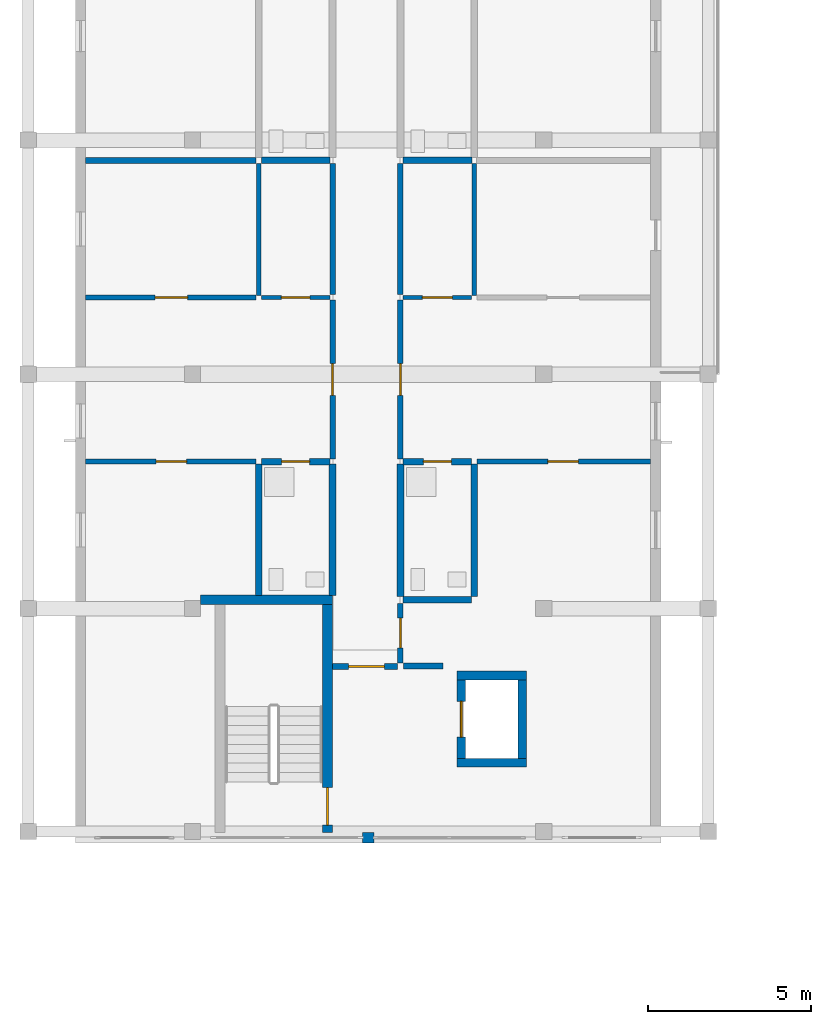
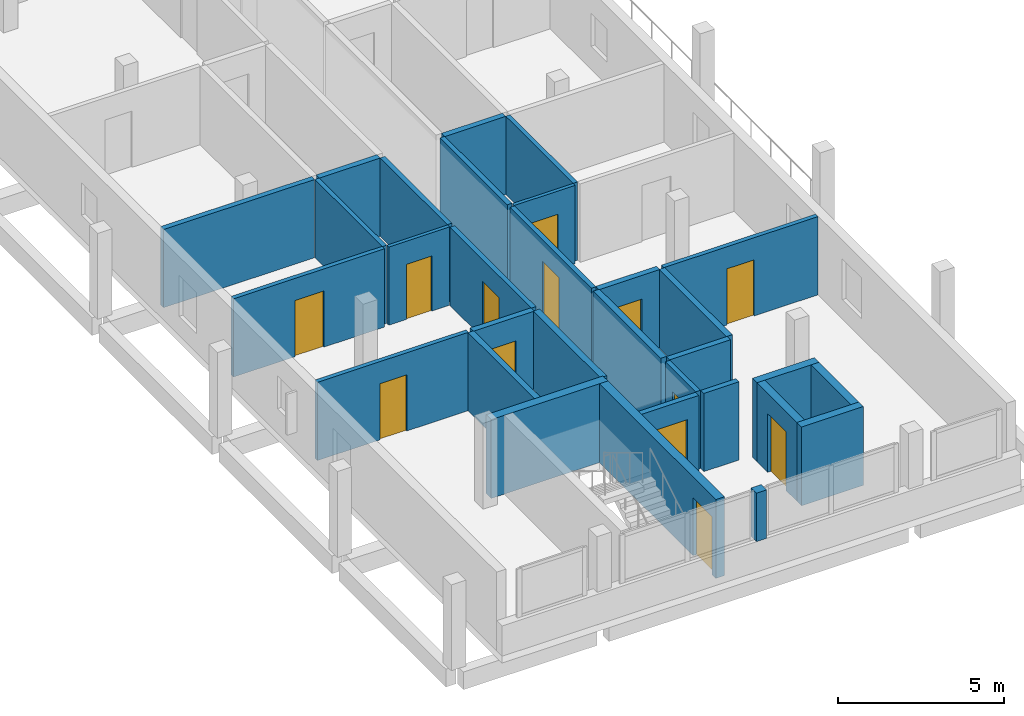
# One storey, part 5 of 16: 31 walls, 13 doors, 13 openings.
"""IFC4 building model written with IfcOpenShell, lengths in metres."""

from ifc_helpers import new_model, si_unit, derived_unit, direction, frame, frame_2d, origin, place, context, subcontext, project, spatial, rectangle, extrude, material, layer, layer_set, type_object, element, fill, save


model = new_model("IFC4")

# Units and contexts
model_context = context("Model", 3, precision=1e-05, world=origin(), true_north=direction((0.0, 1.0)))
body_context = subcontext(model_context, "Body", "Model", "MODEL_VIEW")
ifc_project = project(units=[si_unit("LENGTHUNIT", "METRE"), si_unit("AREAUNIT", "SQUARE_METRE"), si_unit("VOLUMEUNIT", "CUBIC_METRE"), si_unit("PLANEANGLEUNIT", "RADIAN"), si_unit("MASSUNIT", "GRAM", prefix="KILO"), derived_unit("THERMALTRANSMITTANCEUNIT", [(si_unit("MASSUNIT", "GRAM", prefix="KILO"), 1), (si_unit("TIMEUNIT", "SECOND"), -3), (si_unit("THERMODYNAMICTEMPERATUREUNIT", "KELVIN"), -1)])], contexts=[model_context])

# Site, building, storey
site_placement = place(None, origin())
site = spatial("IfcSite", under=ifc_project, at=site_placement, CompositionType="ELEMENT")
building_placement = place(site_placement, origin())
building = spatial("IfcBuilding", under=site, at=building_placement, Name="Ochrekiln Boulevard Commons", CompositionType="ELEMENT")
storey_placement = place(building_placement, frame((0.0, 0.0, 40.425048828125)))
storey = spatial("IfcBuildingStorey", under=building, at=storey_placement, Name="L12", CompositionType="ELEMENT", Elevation=40.425048828125)

# Walls
ifc_material_1 = material(Name="Desert ochre clinker brick masonry ASTM C216 Grade SW", Category="masonry")
ifc_layer_1 = layer(ifc_material_1, 0.320068359375)
ifc_layer_set_1 = layer_set([ifc_layer_1], Name="Desert ochre clinker brick masonry ASTM C216 Grade SW")
wall_type_1 = type_object("IfcWallType", Name="WL-EXT-OCHRE-320", PredefinedType="SOLIDWALL", material=ifc_layer_set_1)
wall_1_placement = place(storey_placement, frame((10.6201171875, 68.56005859375, 1.10986328125), z_axis=(0.0, 0.0, 1.0), x_axis=(1.0, 0.0, 0.0)))
element("IfcWall", 1, at=wall_1_placement, inside=storey, type_object=wall_type_1, Name="Block A L12 Courtyard Gable Mullion Pier", PredefinedType="SOLIDWALL", context=body_context, shape_type="SweptSolid", body=[
    extrude(rectangle(XDim=0.35986328125, YDim=0.320068359375, at=frame_2d((0.179931640625, 0.0))), origin(), (0.0, 0.0, 1.0), 1.780029296875),
])
ifc_material_2 = material(Name="Moisture-resistant cementitious tile backer wall")
ifc_layer_2 = layer(ifc_material_2, 0.199951171875)
ifc_layer_set_2 = layer_set([ifc_layer_2], Name="Moisture-resistant cementitious tile backer wall")
wall_type_2 = type_object("IfcWallType", Name="WL-PLM-200", PredefinedType="PLUMBINGWALL", material=ifc_layer_set_2)
wall_2_placement = place(storey_placement, frame((11.8720703125, 75.875, 0.0), z_axis=(0.0, 0.0, 1.0), x_axis=(1.0, 0.0, 0.0)))
element("IfcWall", 2, at=wall_2_placement, inside=storey, type_object=wall_type_2, Name="L12 Interior Wall W-PW200", PredefinedType="PLUMBINGWALL", context=body_context, shape_type="SweptSolid", body=[
    extrude(rectangle(XDim=2.10791015625, YDim=0.199951171875, at=frame_2d((1.053955078125, 0.0))), origin(), (0.0, 0.0, 1.0), 2.869873046875),
])

# Wall, opening, door
wall_3_placement = place(storey_placement, frame((7.52001953125, 80.118896484375, 0.0), z_axis=(0.0, 0.0, 1.0), x_axis=(1.0, 0.0, 0.0)))
wall_3 = element("IfcWall", 3, at=wall_3_placement, inside=storey, type_object=wall_type_2, Name="L12 Interior Wall W-PW200", PredefinedType="PLUMBINGWALL", context=body_context, shape_type="SweptSolid", body=[
    extrude(rectangle(XDim=2.10791015625, YDim=0.199951171875, at=frame_2d((1.053955078125, 0.0))), origin(), (0.0, 0.0, 1.0), 2.869873046875),
])
opening_1_placement = place(wall_3_placement, frame((0.6201171875, 0.0, 0.0)))
opening_1 = element("IfcOpeningElement", 4, at=opening_1_placement, cuts=wall_3, Name="Opening D-L12-1298", PredefinedType="OPENING", context=body_context, shape_type="SweptSolid", body=[
    extrude(rectangle(XDim=0.860107421875, YDim=2.0, at=frame_2d((0.43017578125, 1.0))), frame((0.0, 0.10986328125, 0.0), z_axis=(0.0, -1.0, 0.0), x_axis=(1.0, 0.0, 0.0)), (0.0, 0.0, 1.0), 0.219970703125),
])
ifc_material_3 = material(Name="Solid core architectural oak door leaf")
door_type_1 = type_object("IfcDoorType", Name="DR-INT-BTH-086", OperationType="NOTDEFINED", PredefinedType="DOOR", material=ifc_material_3)
door_1_placement = place(opening_1_placement, frame((0.860107421875, 0.0, 0.0), z_axis=(0.0, 0.0, 1.0), x_axis=(-1.0, 0.0, 0.0)))
door_1 = element("IfcDoor", 5, at=door_1_placement, inside=storey, type_object=door_type_1, Name="L12 Interior Door to Accessible Apartment Bathroom", OperationType="SINGLE_SWING_RIGHT", OverallHeight=2.0, OverallWidth=0.860107421875, PredefinedType="DOOR", context=body_context, shape_type="SweptSolid", body=[
    extrude(rectangle(XDim=0.860107421875, YDim=2.0, at=frame_2d((0.43017578125, 1.0))), frame((0.0, 0.02490234375, 0.0), z_axis=(0.0, -1.0, 0.0), x_axis=(1.0, 0.0, 0.0)), (0.0, 0.0, 1.0), 0.050048828125),
])
fill(opening_1, door_1)

# Walls
wall_4_placement = place(storey_placement, frame((7.43994140625, 76.0, 0.0), z_axis=(0.0, 0.0, 1.0), x_axis=(0.0, 1.0, 0.0)))
element("IfcWall", 6, at=wall_4_placement, inside=storey, type_object=wall_type_2, Name="L12 Interior Wall W-PW200", PredefinedType="PLUMBINGWALL", context=body_context, shape_type="SweptSolid", body=[
    extrude(rectangle(XDim=4.0390625, YDim=0.199951171875, at=frame_2d((2.01953125, 0.0))), origin(), (0.0, 0.0, 1.0), 2.869873046875),
])
wall_5_placement = place(storey_placement, frame((7.52001953125, 89.3759765625, 0.0), z_axis=(0.0, 0.0, 1.0), x_axis=(1.0, 0.0, 0.0)))
element("IfcWall", 7, at=wall_5_placement, inside=storey, type_object=wall_type_2, Name="L12 Interior Wall W-PW200", PredefinedType="PLUMBINGWALL", context=body_context, shape_type="SweptSolid", body=[
    extrude(rectangle(XDim=2.10791015625, YDim=0.199951171875, at=frame_2d((1.053955078125, 0.0))), origin(), (0.0, 0.0, 1.0), 2.869873046875),
])

# Wall, opening, door
wall_6_placement = place(storey_placement, frame((11.8720703125, 80.118896484375, 0.0), z_axis=(0.0, 0.0, 1.0), x_axis=(1.0, 0.0, 0.0)))
wall_6 = element("IfcWall", 8, at=wall_6_placement, inside=storey, type_object=wall_type_2, Name="L12 Interior Wall W-PW200", PredefinedType="PLUMBINGWALL", context=body_context, shape_type="SweptSolid", body=[
    extrude(rectangle(XDim=2.10791015625, YDim=0.199951171875, at=frame_2d((1.053955078125, 0.0))), origin(), (0.0, 0.0, 1.0), 2.869873046875),
])
opening_2_placement = place(wall_6_placement, frame((0.6279296875, 0.0, 0.0)))
opening_2 = element("IfcOpeningElement", 9, at=opening_2_placement, cuts=wall_6, Name="Opening D-L12-1306", PredefinedType="OPENING", context=body_context, shape_type="SweptSolid", body=[
    extrude(rectangle(XDim=0.860107421875, YDim=2.0, at=frame_2d((0.43017578125, 1.0))), frame((0.0, 0.10986328125, 0.0), z_axis=(0.0, -1.0, 0.0), x_axis=(1.0, 0.0, 0.0)), (0.0, 0.0, 1.0), 0.219970703125),
])
door_2_placement = place(opening_2_placement, frame((0.860107421875, 0.0, 0.0), z_axis=(0.0, 0.0, 1.0), x_axis=(-1.0, 0.0, 0.0)))
door_2 = element("IfcDoor", 10, at=door_2_placement, inside=storey, type_object=door_type_1, Name="L12 Interior Door to Apartment Bathroom", OperationType="SINGLE_SWING_RIGHT", OverallHeight=2.0, OverallWidth=0.860107421875, PredefinedType="DOOR", context=body_context, shape_type="SweptSolid", body=[
    extrude(rectangle(XDim=0.860107421875, YDim=2.0, at=frame_2d((0.43017578125, 1.0))), frame((0.0, 0.02490234375, 0.0), z_axis=(0.0, -1.0, 0.0), x_axis=(1.0, 0.0, 0.0)), (0.0, 0.0, 1.0), 0.050048828125),
])
fill(opening_2, door_2)

# Walls
wall_7_placement = place(storey_placement, frame((14.06005859375, 75.97509765625, 0.0), z_axis=(0.0, 0.0, 1.0), x_axis=(0.0, 1.0, 0.0)))
element("IfcWall", 11, at=wall_7_placement, inside=storey, type_object=wall_type_2, Name="L12 Interior Wall W-PW200", PredefinedType="PLUMBINGWALL", context=body_context, shape_type="SweptSolid", body=[
    extrude(rectangle(XDim=4.06396484375, YDim=0.199951171875, at=frame_2d((2.031982421875, 0.0))), origin(), (0.0, 0.0, 1.0), 2.869873046875),
])
wall_8_placement = place(storey_placement, frame((11.8720703125, 89.3759765625, 0.0), z_axis=(0.0, 0.0, 1.0), x_axis=(1.0, 0.0, 0.0)))
element("IfcWall", 12, at=wall_8_placement, inside=storey, type_object=wall_type_2, Name="L12 Interior Wall W-PW200", PredefinedType="PLUMBINGWALL", context=body_context, shape_type="SweptSolid", body=[
    extrude(rectangle(XDim=2.113037109375, YDim=0.199951171875, at=frame_2d((1.056640625, 0.0))), origin(), (0.0, 0.0, 1.0), 2.869873046875),
])
ifc_layer_3 = layer(ifc_material_2, 0.219970703125)
ifc_layer_set_3 = layer_set([ifc_layer_3], Name="Moisture-resistant cementitious tile backer wall")
wall_type_3 = type_object("IfcWallType", Name="WL-PLM-220", PredefinedType="PLUMBINGWALL", material=ifc_layer_set_3)
wall_9_placement = place(storey_placement, frame((9.7099609375, 76.0, 0.0), z_axis=(0.0, 0.0, 1.0), x_axis=(0.0, 1.0, 0.0)))
element("IfcWall", 13, at=wall_9_placement, inside=storey, type_object=wall_type_3, Name="L12 Interior Wall W-PW220", PredefinedType="PLUMBINGWALL", context=body_context, shape_type="SweptSolid", body=[
    extrude(rectangle(XDim=4.0390625, YDim=0.219970703125, at=frame_2d((2.01953125, 0.0))), origin(), (0.0, 0.0, 1.0), 2.869873046875),
])
wall_10_placement = place(storey_placement, frame((11.7900390625, 75.97509765625, 0.0), z_axis=(0.0, 0.0, 1.0), x_axis=(0.0, 1.0, 0.0)))
element("IfcWall", 14, at=wall_10_placement, inside=storey, type_object=wall_type_3, Name="L12 Interior Wall W-PW220", PredefinedType="PLUMBINGWALL", context=body_context, shape_type="SweptSolid", body=[
    extrude(rectangle(XDim=4.06396484375, YDim=0.219970703125, at=frame_2d((2.031982421875, 0.0))), origin(), (0.0, 0.0, 1.0), 2.869873046875),
])

# Wall, opening, door
ifc_material_4 = material(Name="Fire-rated Type X gypsum board on steel studs", Category="steel")
ifc_layer_4 = layer(ifc_material_4, 0.1650390625)
ifc_layer_set_4 = layer_set([ifc_layer_4], Name="Fire-rated Type X gypsum board on steel studs")
wall_type_4 = type_object("IfcWallType", Name="WL-PT-CORR-165", PredefinedType="PARTITIONING", material=ifc_layer_set_4)
wall_11_placement = place(storey_placement, frame((11.7900390625, 73.929931640625, 0.0), z_axis=(0.0, 0.0, 1.0), x_axis=(0.0, 1.0, 0.0)))
wall_11 = element("IfcWall", 15, at=wall_11_placement, inside=storey, type_object=wall_type_4, Name="L12 Interior Wall W-PC165", PredefinedType="PARTITIONING", context=body_context, shape_type="SweptSolid", body=[
    extrude(rectangle(XDim=1.820068359375, YDim=0.1650390625, at=frame_2d((0.91015625, 0.0))), origin(), (0.0, 0.0, 1.0), 2.869873046875),
])
opening_3_placement = place(wall_11_placement, frame((0.4599609375, 0.0, 0.0)))
opening_3 = element("IfcOpeningElement", 16, at=opening_3_placement, cuts=wall_11, Name="Opening D-L12-1293", PredefinedType="OPENING", context=body_context, shape_type="SweptSolid", body=[
    extrude(rectangle(XDim=0.919921875, YDim=2.0400390625, at=frame_2d((0.4599609375, 1.02001953125))), frame((0.0, 0.092529296875, 0.0), z_axis=(0.0, -1.0, 0.0), x_axis=(1.0, 0.0, 0.0)), (0.0, 0.0, 1.0), 0.18505859375),
])
ifc_material_5 = material(Name="Hollow metal fire-rated steel door assembly", Category="steel")
door_type_2 = type_object("IfcDoorType", Name="DR-SRV-90", OperationType="NOTDEFINED", PredefinedType="DOOR", material=ifc_material_5)
door_3_placement = place(opening_3_placement, frame((0.919921875, 0.0, 0.0), z_axis=(0.0, 0.0, 1.0), x_axis=(-1.0, 0.0, 0.0)))
door_3 = element("IfcDoor", 17, at=door_3_placement, inside=storey, type_object=door_type_2, Name="L12 Interior Door to Hydronic and Electrical Riser Room", OperationType="SINGLE_SWING_LEFT", OverallHeight=2.0400390625, OverallWidth=0.919921875, PredefinedType="DOOR", context=body_context, shape_type="SweptSolid", body=[
    extrude(rectangle(XDim=0.919921875, YDim=2.0400390625, at=frame_2d((0.4599609375, 1.02001953125))), frame((0.0, 0.02490234375, 0.0), z_axis=(0.0, -1.0, 0.0), x_axis=(1.0, 0.0, 0.0)), (0.0, 0.0, 1.0), 0.050048828125),
])
fill(opening_3, door_3)

wall_12_placement = place(storey_placement, frame((9.7099609375, 80.198974609375, 0.0), z_axis=(0.0, 0.0, 1.0), x_axis=(0.0, 1.0, 0.0)))
wall_12 = element("IfcWall", 18, at=wall_12_placement, inside=storey, type_object=wall_type_4, Name="L12 Interior Wall W-PC165", PredefinedType="PARTITIONING", context=body_context, shape_type="SweptSolid", body=[
    extrude(rectangle(XDim=4.887939453125, YDim=0.1650390625, at=frame_2d((2.44384765625, 0.0))), origin(), (0.0, 0.0, 1.0), 2.869873046875),
])
opening_4_placement = place(wall_12_placement, frame((1.9541015625, 0.0, 0.0)))
opening_4 = element("IfcOpeningElement", 19, at=opening_4_placement, cuts=wall_12, Name="Opening D-L12-1294", PredefinedType="OPENING", context=body_context, shape_type="SweptSolid", body=[
    extrude(rectangle(XDim=0.97998046875, YDim=2.080078125, at=frame_2d((0.489990234375, 1.0400390625))), frame((0.0, 0.092529296875, 0.0), z_axis=(0.0, -1.0, 0.0), x_axis=(1.0, 0.0, 0.0)), (0.0, 0.0, 1.0), 0.18505859375),
])
door_type_3 = type_object("IfcDoorType", Name="DR-APT-60", OperationType="NOTDEFINED", PredefinedType="DOOR", material=ifc_material_3)
door_4_placement = place(opening_4_placement, origin())
door_4 = element("IfcDoor", 20, at=door_4_placement, inside=storey, type_object=door_type_3, Name="L12 Interior Door to Two-Bedroom Apartment Living Room", OperationType="SINGLE_SWING_RIGHT", OverallHeight=2.080078125, OverallWidth=0.97998046875, PredefinedType="DOOR", context=body_context, shape_type="SweptSolid", body=[
    extrude(rectangle(XDim=0.97998046875, YDim=2.080078125, at=frame_2d((0.489990234375, 1.0400390625))), frame((0.0, 0.02490234375, 0.0), z_axis=(0.0, -1.0, 0.0), x_axis=(1.0, 0.0, 0.0)), (0.0, 0.0, 1.0), 0.050048828125),
])
fill(opening_4, door_4)

# Wall
wall_13_placement = place(storey_placement, frame((9.7099609375, 85.2470703125, 0.0), z_axis=(0.0, 0.0, 1.0), x_axis=(0.0, 1.0, 0.0)))
element("IfcWall", 21, at=wall_13_placement, inside=storey, type_object=wall_type_4, Name="L12 Interior Wall W-PC165", PredefinedType="PARTITIONING", context=body_context, shape_type="SweptSolid", body=[
    extrude(rectangle(XDim=4.038818359375, YDim=0.1650390625, at=frame_2d((2.01953125, 0.0))), origin(), (0.0, 0.0, 1.0), 2.869873046875),
])

# Wall, opening, door
wall_14_placement = place(storey_placement, frame((11.7900390625, 80.198974609375, 0.0), z_axis=(0.0, 0.0, 1.0), x_axis=(0.0, 1.0, 0.0)))
wall_14 = element("IfcWall", 22, at=wall_14_placement, inside=storey, type_object=wall_type_4, Name="L12 Interior Wall W-PC165", PredefinedType="PARTITIONING", context=body_context, shape_type="SweptSolid", body=[
    extrude(rectangle(XDim=4.887939453125, YDim=0.1650390625, at=frame_2d((2.44384765625, 0.0))), origin(), (0.0, 0.0, 1.0), 2.869873046875),
])
opening_5_placement = place(wall_14_placement, frame((1.9541015625, 0.0, 0.0)))
opening_5 = element("IfcOpeningElement", 23, at=opening_5_placement, cuts=wall_14, Name="Opening D-L12-1296", PredefinedType="OPENING", context=body_context, shape_type="SweptSolid", body=[
    extrude(rectangle(XDim=0.97998046875, YDim=2.080078125, at=frame_2d((0.489990234375, 1.0400390625))), frame((0.0, 0.092529296875, 0.0), z_axis=(0.0, -1.0, 0.0), x_axis=(1.0, 0.0, 0.0)), (0.0, 0.0, 1.0), 0.18505859375),
])
door_5_placement = place(opening_5_placement, frame((0.97998046875, 0.0, 0.0), z_axis=(0.0, 0.0, 1.0), x_axis=(-1.0, 0.0, 0.0)))
door_5 = element("IfcDoor", 24, at=door_5_placement, inside=storey, type_object=door_type_3, Name="L12 Interior Door to Two-Bedroom Apartment Living Room", OperationType="SINGLE_SWING_RIGHT", OverallHeight=2.080078125, OverallWidth=0.97998046875, PredefinedType="DOOR", context=body_context, shape_type="SweptSolid", body=[
    extrude(rectangle(XDim=0.97998046875, YDim=2.080078125, at=frame_2d((0.489990234375, 1.0400390625))), frame((0.0, 0.02490234375, 0.0), z_axis=(0.0, -1.0, 0.0), x_axis=(1.0, 0.0, 0.0)), (0.0, 0.0, 1.0), 0.050048828125),
])
fill(opening_5, door_5)

# Walls
wall_15_placement = place(storey_placement, frame((11.7900390625, 85.2470703125, 0.0), z_axis=(0.0, 0.0, 1.0), x_axis=(0.0, 1.0, 0.0)))
element("IfcWall", 25, at=wall_15_placement, inside=storey, type_object=wall_type_4, Name="L12 Interior Wall W-PC165", PredefinedType="PARTITIONING", context=body_context, shape_type="SweptSolid", body=[
    extrude(rectangle(XDim=4.038818359375, YDim=0.1650390625, at=frame_2d((2.01953125, 0.0))), origin(), (0.0, 0.0, 1.0), 2.869873046875),
])
ifc_layer_5 = layer(ifc_material_4, 0.179931640625)
ifc_layer_set_5 = layer_set([ifc_layer_5], Name="Fire-rated Type X gypsum board on steel studs")
wall_type_5 = type_object("IfcWallType", Name="WL-PT-DEM-180", PredefinedType="PARTITIONING", material=ifc_layer_set_5)
wall_16_placement = place(storey_placement, frame((2.1201171875, 89.3759765625, 0.0), z_axis=(0.0, 0.0, 1.0), x_axis=(1.0, 0.0, 0.0)))
element("IfcWall", 26, at=wall_16_placement, inside=storey, type_object=wall_type_5, Name="L12 Interior Wall W-PD180", PredefinedType="PARTITIONING", context=body_context, shape_type="SweptSolid", body=[
    extrude(rectangle(XDim=5.239990234375, YDim=0.179931640625, at=frame_2d((2.6201171875, 0.0))), origin(), (0.0, 0.0, 1.0), 2.869873046875),
])
ifc_layer_6 = layer(ifc_material_4, 0.18994140625)
ifc_layer_set_6 = layer_set([ifc_layer_6], Name="Fire-rated Type X gypsum board on steel studs")
wall_type_6 = type_object("IfcWallType", Name="WL-PT-LBY-190", PredefinedType="PARTITIONING", material=ifc_layer_set_6)
wall_17_placement = place(storey_placement, frame((11.8798828125, 73.8349609375, 0.0), z_axis=(0.0, 0.0, 1.0), x_axis=(1.0, 0.0, 0.0)))
element("IfcWall", 27, at=wall_17_placement, inside=storey, type_object=wall_type_6, Name="L12 Interior Wall W-PL190", PredefinedType="PARTITIONING", context=body_context, shape_type="SweptSolid", body=[
    extrude(rectangle(XDim=1.22021484375, YDim=0.18994140625, at=frame_2d((0.610107421875, 0.0))), origin(), (0.0, 0.0, 1.0), 2.869873046875),
])

# Wall, opening, door
wall_18_placement = place(storey_placement, frame((9.699951171875, 73.820068359375, 0.0), z_axis=(0.0, 0.0, 1.0), x_axis=(1.0, 0.0, 0.0)))
wall_18 = element("IfcWall", 28, at=wall_18_placement, inside=storey, type_object=wall_type_6, Name="L12 Interior Wall W-PL190", PredefinedType="PARTITIONING", context=body_context, shape_type="SweptSolid", body=[
    extrude(rectangle(XDim=2.0, YDim=0.18994140625, at=frame_2d((1.0, 0.0))), origin(), (0.0, 0.0, 1.0), 2.869873046875),
])
opening_6_placement = place(wall_18_placement, frame((0.5, 0.0, 0.0)))
opening_6 = element("IfcOpeningElement", 29, at=opening_6_placement, cuts=wall_18, Name="Opening D-L12-1291", PredefinedType="OPENING", context=body_context, shape_type="SweptSolid", body=[
    extrude(rectangle(XDim=1.10009765625, YDim=2.1201171875, at=frame_2d((0.550048828125, 1.06005859375))), frame((0.0, 0.10498046875, 0.0), z_axis=(0.0, -1.0, 0.0), x_axis=(1.0, 0.0, 0.0)), (0.0, 0.0, 1.0), 0.2099609375),
])
door_type_4 = type_object("IfcDoorType", Name="DR-LOBBY-60", OperationType="NOTDEFINED", PredefinedType="DOOR", material=ifc_material_5)
door_6_placement = place(opening_6_placement, frame((1.10009765625, 0.0, 0.0), z_axis=(0.0, 0.0, 1.0), x_axis=(-1.0, 0.0, 0.0)))
door_6 = element("IfcDoor", 30, at=door_6_placement, inside=storey, type_object=door_type_4, Name="L12 Interior Door to Fire Service Access Elevator Lobby", OperationType="SINGLE_SWING_LEFT", OverallHeight=2.1201171875, OverallWidth=1.10009765625, PredefinedType="DOOR", context=body_context, shape_type="SweptSolid", body=[
    extrude(rectangle(XDim=1.10009765625, YDim=2.1201171875, at=frame_2d((0.550048828125, 1.06005859375))), frame((0.0, 0.02490234375, 0.0), z_axis=(0.0, -1.0, 0.0), x_axis=(1.0, 0.0, 0.0)), (0.0, 0.0, 1.0), 0.050048828125),
])
fill(opening_6, door_6)

ifc_layer_7 = layer(ifc_material_4, 0.1201171875)
ifc_layer_set_7 = layer_set([ifc_layer_7], Name="Fire-rated Type X gypsum board on steel studs")
wall_type_7 = type_object("IfcWallType", Name="WL-PT-LGT-120", PredefinedType="PARTITIONING", material=ifc_layer_set_7)
wall_19_placement = place(storey_placement, frame((7.52001953125, 85.1669921875, 0.0), z_axis=(0.0, 0.0, 1.0), x_axis=(1.0, 0.0, 0.0)))
wall_19 = element("IfcWall", 31, at=wall_19_placement, inside=storey, type_object=wall_type_7, Name="L12 Interior Wall W-PL120", PredefinedType="PARTITIONING", context=body_context, shape_type="SweptSolid", body=[
    extrude(rectangle(XDim=2.10791015625, YDim=0.1201171875, at=frame_2d((1.053955078125, 0.0))), origin(), (0.0, 0.0, 1.0), 2.869873046875),
])
opening_7_placement = place(wall_19_placement, frame((0.610107421875, 0.0, 0.0)))
opening_7 = element("IfcOpeningElement", 32, at=opening_7_placement, cuts=wall_19, Name="Opening D-L12-1299", PredefinedType="OPENING", context=body_context, shape_type="SweptSolid", body=[
    extrude(rectangle(XDim=0.8798828125, YDim=2.02001953125, at=frame_2d((0.43994140625, 1.010009765625))), frame((0.0, 0.070068359375, 0.0), z_axis=(0.0, -1.0, 0.0), x_axis=(1.0, 0.0, 0.0)), (0.0, 0.0, 1.0), 0.14013671875),
])
door_type_5 = type_object("IfcDoorType", Name="DR-INT-KIT-088", OperationType="NOTDEFINED", PredefinedType="DOOR", material=ifc_material_3)
door_7_placement = place(opening_7_placement, origin())
door_7 = element("IfcDoor", 33, at=door_7_placement, inside=storey, type_object=door_type_5, Name="L12 Interior Door to Apartment Kitchen", OperationType="SINGLE_SWING_LEFT", OverallHeight=2.02001953125, OverallWidth=0.8798828125, PredefinedType="DOOR", context=body_context, shape_type="SweptSolid", body=[
    extrude(rectangle(XDim=0.8798828125, YDim=2.02001953125, at=frame_2d((0.43994140625, 1.010009765625))), frame((0.0, 0.02490234375, 0.0), z_axis=(0.0, -1.0, 0.0), x_axis=(1.0, 0.0, 0.0)), (0.0, 0.0, 1.0), 0.050048828125),
])
fill(opening_7, door_7)

wall_20_placement = place(storey_placement, frame((11.8720703125, 85.1669921875, 0.0), z_axis=(0.0, 0.0, 1.0), x_axis=(1.0, 0.0, 0.0)))
wall_20 = element("IfcWall", 34, at=wall_20_placement, inside=storey, type_object=wall_type_7, Name="L12 Interior Wall W-PL120", PredefinedType="PARTITIONING", context=body_context, shape_type="SweptSolid", body=[
    extrude(rectangle(XDim=2.10791015625, YDim=0.1201171875, at=frame_2d((1.053955078125, 0.0))), origin(), (0.0, 0.0, 1.0), 2.869873046875),
])
opening_8_placement = place(wall_20_placement, frame((0.597900390625, 0.0, 0.0)))
opening_8 = element("IfcOpeningElement", 35, at=opening_8_placement, cuts=wall_20, Name="Opening D-L12-1307", PredefinedType="OPENING", context=body_context, shape_type="SweptSolid", body=[
    extrude(rectangle(XDim=0.919921875, YDim=2.02001953125, at=frame_2d((0.4599609375, 1.010009765625))), frame((0.0, 0.070068359375, 0.0), z_axis=(0.0, -1.0, 0.0), x_axis=(1.0, 0.0, 0.0)), (0.0, 0.0, 1.0), 0.14013671875),
])
door_type_6 = type_object("IfcDoorType", Name="DR-INT-KIT-092", OperationType="NOTDEFINED", PredefinedType="DOOR", material=ifc_material_3)
door_8_placement = place(opening_8_placement, origin())
door_8 = element("IfcDoor", 36, at=door_8_placement, inside=storey, type_object=door_type_6, Name="L12 Interior Door to Apartment Kitchen", OperationType="SINGLE_SWING_LEFT", OverallHeight=2.02001953125, OverallWidth=0.919921875, PredefinedType="DOOR", context=body_context, shape_type="SweptSolid", body=[
    extrude(rectangle(XDim=0.919921875, YDim=2.02001953125, at=frame_2d((0.4599609375, 1.010009765625))), frame((0.0, 0.02490234375, 0.0), z_axis=(0.0, -1.0, 0.0), x_axis=(1.0, 0.0, 0.0)), (0.0, 0.0, 1.0), 0.050048828125),
])
fill(opening_8, door_8)

ifc_layer_8 = layer(ifc_material_4, 0.14990234375)
ifc_layer_set_8 = layer_set([ifc_layer_8], Name="Fire-rated Type X gypsum board on steel studs")
wall_type_8 = type_object("IfcWallType", Name="WL-PT-STD-150", PredefinedType="PARTITIONING", material=ifc_layer_set_8)
wall_21_placement = place(storey_placement, frame((2.1201171875, 80.118896484375, 0.0), z_axis=(0.0, 0.0, 1.0), x_axis=(1.0, 0.0, 0.0)))
wall_21 = element("IfcWall", 37, at=wall_21_placement, inside=storey, type_object=wall_type_8, Name="L12 Interior Wall W-PS150", PredefinedType="PARTITIONING", context=body_context, shape_type="SweptSolid", body=[
    extrude(rectangle(XDim=5.239990234375, YDim=0.14990234375, at=frame_2d((2.6201171875, 0.0))), origin(), (0.0, 0.0, 1.0), 2.869873046875),
])
opening_9_placement = place(wall_21_placement, frame((2.1650390625, 0.0, 0.0)))
opening_9 = element("IfcOpeningElement", 38, at=opening_9_placement, cuts=wall_21, Name="Opening D-L12-1300", PredefinedType="OPENING", context=body_context, shape_type="SweptSolid", body=[
    extrude(rectangle(XDim=0.93994140625, YDim=2.06005859375, at=frame_2d((0.469970703125, 1.030029296875))), frame((0.0, 0.0849609375, 0.0), z_axis=(0.0, -1.0, 0.0), x_axis=(1.0, 0.0, 0.0)), (0.0, 0.0, 1.0), 0.169921875),
])
door_type_7 = type_object("IfcDoorType", Name="DR-INT-BED-094", OperationType="NOTDEFINED", PredefinedType="DOOR", material=ifc_material_3)
door_9_placement = place(opening_9_placement, frame((0.93994140625, 0.0, 0.0), z_axis=(0.0, 0.0, 1.0), x_axis=(-1.0, 0.0, 0.0)))
door_9 = element("IfcDoor", 39, at=door_9_placement, inside=storey, type_object=door_type_7, Name="L12 Interior Door to Primary Apartment Bedroom", OperationType="SINGLE_SWING_RIGHT", OverallHeight=2.06005859375, OverallWidth=0.93994140625, PredefinedType="DOOR", context=body_context, shape_type="SweptSolid", body=[
    extrude(rectangle(XDim=0.93994140625, YDim=2.06005859375, at=frame_2d((0.469970703125, 1.030029296875))), frame((0.0, 0.02490234375, 0.0), z_axis=(0.0, -1.0, 0.0), x_axis=(1.0, 0.0, 0.0)), (0.0, 0.0, 1.0), 0.050048828125),
])
fill(opening_9, door_9)

wall_22_placement = place(storey_placement, frame((2.1201171875, 85.1669921875, 0.0), z_axis=(0.0, 0.0, 1.0), x_axis=(1.0, 0.0, 0.0)))
wall_22 = element("IfcWall", 40, at=wall_22_placement, inside=storey, type_object=wall_type_8, Name="L12 Interior Wall W-PS150", PredefinedType="PARTITIONING", context=body_context, shape_type="SweptSolid", body=[
    extrude(rectangle(XDim=5.239990234375, YDim=0.14990234375, at=frame_2d((2.6201171875, 0.0))), origin(), (0.0, 0.0, 1.0), 2.869873046875),
])
opening_10_placement = place(wall_22_placement, frame((2.135009765625, 0.0, 0.0)))
opening_10 = element("IfcOpeningElement", 41, at=opening_10_placement, cuts=wall_22, Name="Opening D-L12-1301", PredefinedType="OPENING", context=body_context, shape_type="SweptSolid", body=[
    extrude(rectangle(XDim=1.0, YDim=2.06005859375, at=frame_2d((0.5, 1.030029296875))), frame((0.0, 0.0849609375, 0.0), z_axis=(0.0, -1.0, 0.0), x_axis=(1.0, 0.0, 0.0)), (0.0, 0.0, 1.0), 0.169921875),
])
door_type_8 = type_object("IfcDoorType", Name="DR-INT-BED-100", OperationType="NOTDEFINED", PredefinedType="DOOR", material=ifc_material_3)
door_10_placement = place(opening_10_placement, origin())
door_10 = element("IfcDoor", 42, at=door_10_placement, inside=storey, type_object=door_type_8, Name="L12 Interior Door to Secondary Apartment Bedroom", OperationType="SINGLE_SWING_LEFT", OverallHeight=2.06005859375, OverallWidth=1.0, PredefinedType="DOOR", context=body_context, shape_type="SweptSolid", body=[
    extrude(rectangle(XDim=1.0, YDim=2.06005859375, at=frame_2d((0.5, 1.030029296875))), frame((0.0, 0.02490234375, 0.0), z_axis=(0.0, -1.0, 0.0), x_axis=(1.0, 0.0, 0.0)), (0.0, 0.0, 1.0), 0.050048828125),
])
fill(opening_10, door_10)

# Wall
wall_23_placement = place(storey_placement, frame((7.43994140625, 85.22705078125, 0.0), z_axis=(0.0, 0.0, 1.0), x_axis=(0.0, 1.0, 0.0)))
element("IfcWall", 43, at=wall_23_placement, inside=storey, type_object=wall_type_8, Name="L12 Interior Wall W-PS150", PredefinedType="PARTITIONING", context=body_context, shape_type="SweptSolid", body=[
    extrude(rectangle(XDim=4.058837890625, YDim=0.14990234375, at=frame_2d((2.029296875, 0.0))), origin(), (0.0, 0.0, 1.0), 2.869873046875),
])

# Wall, opening, door
wall_24_placement = place(storey_placement, frame((14.139892578125, 80.118896484375, 0.0), z_axis=(0.0, 0.0, 1.0), x_axis=(1.0, 0.0, 0.0)))
wall_24 = element("IfcWall", 44, at=wall_24_placement, inside=storey, type_object=wall_type_8, Name="L12 Interior Wall W-PS150", PredefinedType="PARTITIONING", context=body_context, shape_type="SweptSolid", body=[
    extrude(rectangle(XDim=5.340087890625, YDim=0.14990234375, at=frame_2d((2.669921875, 0.0))), origin(), (0.0, 0.0, 1.0), 2.869873046875),
])
opening_11_placement = place(wall_24_placement, frame((2.18505859375, 0.0, 0.0)))
opening_11 = element("IfcOpeningElement", 45, at=opening_11_placement, cuts=wall_24, Name="Opening D-L12-1308", PredefinedType="OPENING", context=body_context, shape_type="SweptSolid", body=[
    extrude(rectangle(XDim=0.93994140625, YDim=2.06005859375, at=frame_2d((0.469970703125, 1.030029296875))), frame((0.0, 0.0849609375, 0.0), z_axis=(0.0, -1.0, 0.0), x_axis=(1.0, 0.0, 0.0)), (0.0, 0.0, 1.0), 0.169921875),
])
door_11_placement = place(opening_11_placement, frame((0.93994140625, 0.0, 0.0), z_axis=(0.0, 0.0, 1.0), x_axis=(-1.0, 0.0, 0.0)))
door_11 = element("IfcDoor", 46, at=door_11_placement, inside=storey, type_object=door_type_7, Name="L12 Interior Door to Primary Apartment Bedroom", OperationType="SINGLE_SWING_RIGHT", OverallHeight=2.06005859375, OverallWidth=0.93994140625, PredefinedType="DOOR", context=body_context, shape_type="SweptSolid", body=[
    extrude(rectangle(XDim=0.93994140625, YDim=2.06005859375, at=frame_2d((0.469970703125, 1.030029296875))), frame((0.0, 0.02490234375, 0.0), z_axis=(0.0, -1.0, 0.0), x_axis=(1.0, 0.0, 0.0)), (0.0, 0.0, 1.0), 0.050048828125),
])
fill(opening_11, door_11)

# Walls
wall_25_placement = place(storey_placement, frame((14.06005859375, 85.22705078125, 0.0), z_axis=(0.0, 0.0, 1.0), x_axis=(0.0, 1.0, 0.0)))
element("IfcWall", 47, at=wall_25_placement, inside=storey, type_object=wall_type_8, Name="L12 Interior Wall W-PS150", PredefinedType="PARTITIONING", context=body_context, shape_type="SweptSolid", body=[
    extrude(rectangle(XDim=4.058837890625, YDim=0.14990234375, at=frame_2d((2.029296875, 0.0))), origin(), (0.0, 0.0, 1.0), 2.869873046875),
])
ifc_material_6 = material(Name="Concrete C40/50", Category="concrete")
ifc_layer_9 = layer(ifc_material_6, 0.27490234375)
ifc_layer_set_9 = layer_set([ifc_layer_9], Name="Concrete C40/50")
wall_type_9 = type_object("IfcWallType", Name="WL-SH-275", PredefinedType="SHEAR", material=ifc_layer_set_9)
for number, where, z_axis, x_axis, name in (
    (48, (13.52490234375, 70.862548828125, 0.0), (0.0, 0.0, 1.0), (1.0, 0.0, 0.0), "Elevator FF-A1 L12 Hoistway Shear Wall"),
    (49, (13.52490234375, 73.53759765625, 0.0), (0.0, 0.0, 1.0), (1.0, 0.0, 0.0), "Elevator FF-A1 L12 Hoistway Shear Wall"),
):
    element("IfcWall", number, at=place(storey_placement, frame(where, z_axis=z_axis, x_axis=x_axis)), inside=storey, type_object=wall_type_9, Name=name, PredefinedType="SHEAR", context=body_context, shape_type="SweptSolid", body=[
        extrude(rectangle(XDim=2.150146484375, YDim=0.27490234375, at=frame_2d((1.0751953125, 0.0))), origin(), (0.0, 0.0, 1.0), 2.889892578125),
    ])

# Wall, opening, door
wall_26_placement = place(storey_placement, frame((13.66259765625, 71.0, 0.0), z_axis=(0.0, 0.0, 1.0), x_axis=(0.0, 1.0, 0.0)))
wall_26 = element("IfcWall", 50, at=wall_26_placement, inside=storey, type_object=wall_type_9, Name="Elevator FF-A1 L12 Hoistway Shear Wall", PredefinedType="SHEAR", context=body_context, shape_type="SweptSolid", body=[
    extrude(rectangle(XDim=2.39990234375, YDim=0.27490234375, at=frame_2d((1.199951171875, 0.0))), origin(), (0.0, 0.0, 1.0), 2.889892578125),
])
opening_12_placement = place(wall_26_placement, frame((0.64990234375, 0.0, 0.0)))
opening_12 = element("IfcOpeningElement", 51, at=opening_12_placement, cuts=wall_26, Name="Opening LD-FF-A1-L12", PredefinedType="OPENING", context=body_context, shape_type="SweptSolid", body=[
    extrude(rectangle(XDim=1.10009765625, YDim=2.14990234375, at=frame_2d((0.550048828125, 1.074951171875))), frame((0.0, 0.1474609375, 0.0), z_axis=(0.0, -1.0, 0.0), x_axis=(1.0, 0.0, 0.0)), (0.0, 0.0, 1.0), 0.294921875),
])
ifc_material_7 = material(Name="Brushed stainless steel 316 elevator cab and doors", Category="steel")
door_type_9 = type_object("IfcDoorType", Name="DR-LIFT-LD90", OperationType="SLIDING_TO_LEFT", PredefinedType="DOOR", material=ifc_material_7)
door_12_placement = place(opening_12_placement, origin())
door_12 = element("IfcDoor", 52, at=door_12_placement, inside=storey, type_object=door_type_9, Name="Elevator FF-A1 L12 Sliding Landing Door LD-FF-A1-L12", OperationType="SLIDING_TO_LEFT", OverallHeight=2.14990234375, OverallWidth=1.10009765625, PredefinedType="DOOR", context=body_context, shape_type="SweptSolid", body=[
    extrude(rectangle(XDim=1.10009765625, YDim=2.14990234375, at=frame_2d((0.550048828125, 1.074951171875))), frame((0.0, 0.02490234375, 0.0), z_axis=(0.0, -1.0, 0.0), x_axis=(1.0, 0.0, 0.0)), (0.0, 0.0, 1.0), 0.050048828125),
])
fill(opening_12, door_12)

# Walls
wall_27_placement = place(storey_placement, frame((15.53759765625, 71.0, 0.0), z_axis=(0.0, 0.0, 1.0), x_axis=(0.0, 1.0, 0.0)))
element("IfcWall", 53, at=wall_27_placement, inside=storey, type_object=wall_type_9, Name="Elevator FF-A1 L12 Hoistway Shear Wall", PredefinedType="SHEAR", context=body_context, shape_type="SweptSolid", body=[
    extrude(rectangle(XDim=2.39990234375, YDim=0.27490234375, at=frame_2d((1.199951171875, 0.0))), origin(), (0.0, 0.0, 1.0), 2.889892578125),
])
ifc_layer_10 = layer(ifc_material_6, 0.300048828125)
ifc_layer_set_10 = layer_set([ifc_layer_10], Name="Concrete C40/50")
wall_type_10 = type_object("IfcWallType", Name="WL-SH-300", PredefinedType="SHEAR", material=ifc_layer_set_10)
wall_28_placement = place(storey_placement, frame((5.64990234375, 75.8701171875, 0.0), z_axis=(0.0, 0.0, 1.0), x_axis=(1.0, 0.0, 0.0)))
element("IfcWall", 54, at=wall_28_placement, inside=storey, type_object=wall_type_10, Name="Stair ST-A1 L12 Core Shear Wall N", PredefinedType="SHEAR", context=body_context, shape_type="SweptSolid", body=[
    extrude(rectangle(XDim=4.050048828125, YDim=0.300048828125, at=frame_2d((2.02490234375, 0.0))), origin(), (0.0, 0.0, 1.0), 2.889892578125),
])

# Wall, opening, door
wall_29_placement = place(storey_placement, frame((9.550048828125, 68.719970703125, 0.0), z_axis=(0.0, 0.0, 1.0), x_axis=(0.0, 1.0, 0.0)))
wall_29 = element("IfcWall", 55, at=wall_29_placement, inside=storey, type_object=wall_type_10, Name="Stair ST-A1 L12 Core Shear Wall E", PredefinedType="SHEAR", context=body_context, shape_type="SweptSolid", body=[
    extrude(rectangle(XDim=7.0, YDim=0.300048828125, at=frame_2d((3.5, 0.0))), origin(), (0.0, 0.0, 1.0), 2.889892578125),
])
opening_13_placement = place(wall_29_placement, frame((0.22509765625, 0.0, 0.0)))
opening_13 = element("IfcOpeningElement", 56, at=opening_13_placement, cuts=wall_29, Name="Opening D-L12-ST-A1", PredefinedType="OPENING", context=body_context, shape_type="SweptSolid", body=[
    extrude(rectangle(XDim=1.14990234375, YDim=2.1201171875, at=frame_2d((0.574951171875, 1.06005859375))), frame((0.0, 0.159912109375, 0.0), z_axis=(0.0, -1.0, 0.0), x_axis=(1.0, 0.0, 0.0)), (0.0, 0.0, 1.0), 0.320068359375),
])
door_type_10 = type_object("IfcDoorType", Name="DR-STAIR-90", OperationType="NOTDEFINED", PredefinedType="DOOR", material=ifc_material_5)
door_13_placement = place(opening_13_placement, origin())
door_13 = element("IfcDoor", 57, at=door_13_placement, inside=storey, type_object=door_type_10, Name="Enclosed Exit Stair ST-A1 L12 Rated Door", OperationType="SINGLE_SWING_RIGHT", OverallHeight=2.1201171875, OverallWidth=1.14990234375, PredefinedType="DOOR", context=body_context, shape_type="SweptSolid", body=[
    extrude(rectangle(XDim=1.14990234375, YDim=2.1201171875, at=frame_2d((0.574951171875, 1.06005859375))), frame((0.0, 0.02490234375, 0.0), z_axis=(0.0, -1.0, 0.0), x_axis=(1.0, 0.0, 0.0)), (0.0, 0.0, 1.0), 0.050048828125),
])
fill(opening_13, door_13)

save(model, "model.ifc")
